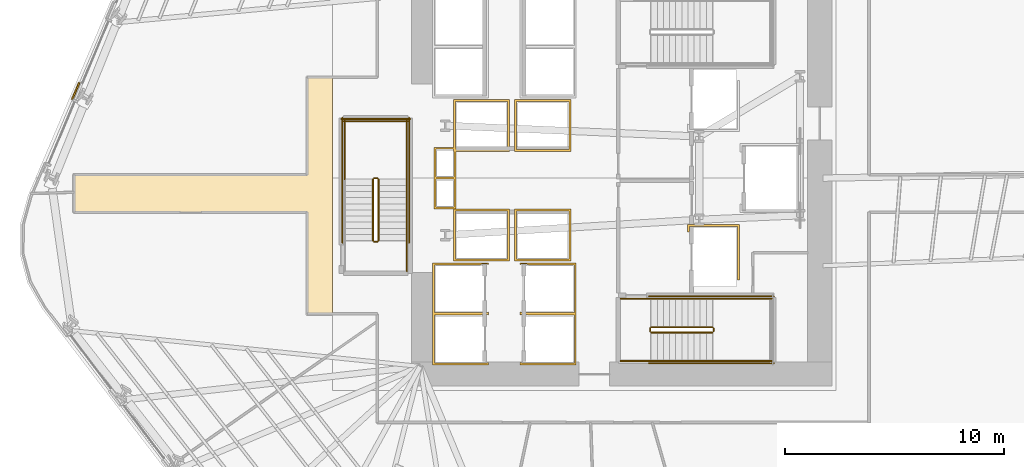
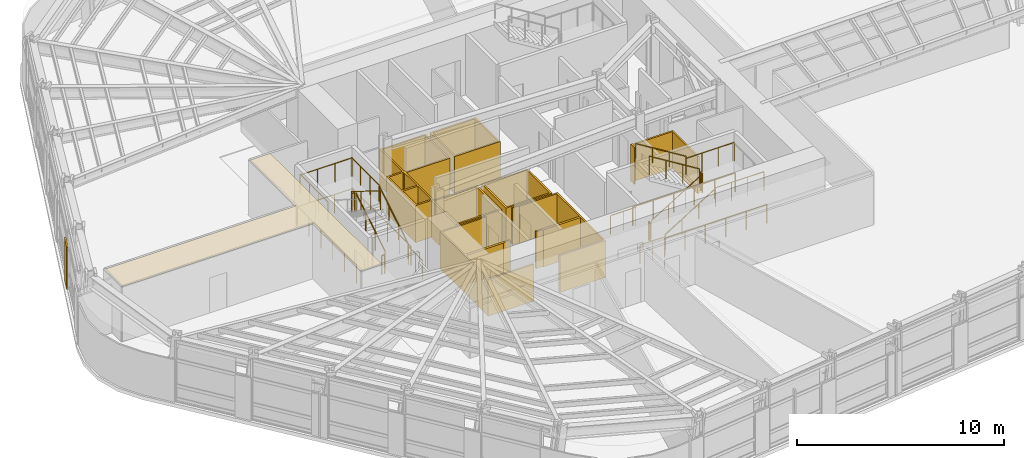
# One storey, part 11 of 16: 24 railings, 9 coverings.
"""IFC4 building model written with IfcOpenShell, lengths in metres."""

import ifcopenshell
import ifcopenshell.guid

model = None  # the IFC model being written
_history = None  # IfcOwnerHistory: only IFC2X3 demands one
_inside = {}  # id of a spatial element -> (the spatial element, [elements in it])
_under = {}  # id of a project, library or spatial element -> (it, [spatial elements below it])
_declared = {}  # id of a project -> (the project, [libraries it declares])
_typed = {}  # id of a type object -> (the type object, [elements of that type])
_made_of = {}  # id of a material, layer set ... -> (it, [elements and type objects made of it])


def new_model(schema):
    """Start an empty IFC model of exactly this schema.

    Asked for "IFC4X3", IfcOpenShell would pick the latest addendum, in which some entities
    have other attributes; the version numbers below select the first issue.
    IFC2X3 requires an IfcOwnerHistory on every rooted entity: one is made here for all.
    """
    global model, _history
    if schema == "IFC4X3":
        model = ifcopenshell.file(schema_version=(4, 3, 0, 0))
    else:
        model = ifcopenshell.file(schema=schema)
    _inside.clear()
    _under.clear()
    _declared.clear()
    _typed.clear()
    _made_of.clear()
    _history = None
    if model.schema == "IFC2X3":
        org = make("IfcOrganization", Name="unknown")
        user = make(
            "IfcPersonAndOrganization",
            ThePerson=make("IfcPerson", FamilyName="unknown"),
            TheOrganization=org,
        )
        app = make(
            "IfcApplication",
            ApplicationDeveloper=org,
            Version="unknown",
            ApplicationFullName="unknown",
            ApplicationIdentifier="unknown",
        )
        _history = make(
            "IfcOwnerHistory",
            OwningUser=user,
            OwningApplication=app,
            ChangeAction="ADDED",
            CreationDate=0,
        )
    return model


def make(cls, **values):
    """One entity of the class cls with the attributes given. An attribute that is None is left unset."""
    return model.create_entity(
        cls, **{name: value for name, value in values.items() if value is not None}
    )


def rooted(cls, **values):
    """An entity with a GlobalId (a new one), such as an element, a storey or a relation."""
    return make(cls, GlobalId=ifcopenshell.guid.new(), OwnerHistory=_history, **values)


def si_unit(unit_type, name, prefix=None):
    """IfcSIUnit, for example si_unit("LENGTHUNIT", "METRE", prefix="MILLI")."""
    return make("IfcSIUnit", UnitType=unit_type, Prefix=prefix, Name=name)


def assignment(units):
    """IfcUnitAssignment: the units of a project."""
    return None if units is None else make("IfcUnitAssignment", Units=units)


def point(xyz):
    """IfcCartesianPoint."""
    return None if xyz is None else make("IfcCartesianPoint", Coordinates=xyz)


def direction(xyz):
    """IfcDirection."""
    return None if xyz is None else make("IfcDirection", DirectionRatios=xyz)


def frame(location, z_axis=None, x_axis=None):
    """IfcAxis2Placement3D, a coordinate frame: its origin and axes. An axis left out is left unset."""
    return make(
        "IfcAxis2Placement3D",
        Location=point(location),
        Axis=direction(z_axis),
        RefDirection=direction(x_axis),
    )


def frame_2d(location, x_axis=None):
    """IfcAxis2Placement2D, a coordinate frame in the plane: its origin and x axis."""
    return make(
        "IfcAxis2Placement2D", Location=point(location), RefDirection=direction(x_axis)
    )


def origin():
    """The frame at (0, 0, 0) with its axes left unset."""
    return frame((0.0, 0.0, 0.0))


def origin_2d():
    """The frame at (0, 0) in the plane with its x axis left unset."""
    return frame_2d((0.0, 0.0))


def place(relative_to, where):
    """IfcLocalPlacement: puts the frame where relative to a parent placement (None: the world)."""
    return make(
        "IfcLocalPlacement", PlacementRelTo=relative_to, RelativePlacement=where
    )


def context(
    kind, dimensions, precision=None, world=None, true_north=None, identifier=None
):
    """IfcGeometricRepresentationContext, for example the 3D "Model" context."""
    return make(
        "IfcGeometricRepresentationContext",
        ContextIdentifier=identifier,
        ContextType=kind,
        CoordinateSpaceDimension=dimensions,
        Precision=precision,
        WorldCoordinateSystem=world,
        TrueNorth=true_north,
    )


def subcontext(parent, identifier, kind, view, scale=None):
    """IfcGeometricRepresentationSubContext, for example "Body" below "Model"."""
    return make(
        "IfcGeometricRepresentationSubContext",
        ContextIdentifier=identifier,
        ContextType=kind,
        ParentContext=parent,
        TargetScale=scale,
        TargetView=view,
    )


def project(units=None, contexts=None):
    """IfcProject with its units and contexts."""
    return rooted(
        "IfcProject",
        Name="project",
        RepresentationContexts=contexts,
        UnitsInContext=assignment(units),
    )


def spatial(cls, under=None, at=None, **own):
    """A site, building, storey or space (cls), placed at a placement, below another one or the project."""
    s = rooted(cls, ObjectPlacement=at, **own)
    if under is not None:
        _under.setdefault(under.id(), (under, []))[1].append(s)
    return s


def polyline(points):
    """IfcPolyline through the points."""
    return make("IfcPolyline", Points=[point(p) for p in points])


def profile(cls, at=None, kind="AREA", **sizes):
    """A parametric profile (cls). Its sizes go by their IFC names, for example OverallWidth=200.0."""
    return make(cls, ProfileType=kind, Position=at, **sizes)


def circle(**sizes):
    """IfcCircleProfileDef."""
    return profile("IfcCircleProfileDef", **sizes)


def outline(outer, holes=None, kind="AREA"):
    """IfcArbitraryClosedProfileDef: a profile drawn as a closed curve; with holes, ...WithVoids."""
    if holes is None:
        return make("IfcArbitraryClosedProfileDef", ProfileType=kind, OuterCurve=outer)
    return make(
        "IfcArbitraryProfileDefWithVoids",
        ProfileType=kind,
        OuterCurve=outer,
        InnerCurves=holes,
    )


def extrude(swept, where, along, depth):
    """IfcExtrudedAreaSolid: the profile swept, set in the frame where, extruded along a direction by depth."""
    return make(
        "IfcExtrudedAreaSolid",
        SweptArea=swept,
        Position=where,
        ExtrudedDirection=direction(along),
        Depth=depth,
    )


def shape(context_of_items, identifier, shape_type, items):
    """IfcShapeRepresentation: the items that make up one representation, for example the "Body"."""
    return make(
        "IfcShapeRepresentation",
        ContextOfItems=context_of_items,
        RepresentationIdentifier=identifier,
        RepresentationType=shape_type,
        Items=items,
    )


def material(Name=None, Category=None):
    """IfcMaterial."""
    return make("IfcMaterial", Name=Name, Category=Category)


def layer(
    of_material, thickness, ventilated=None, Name=None, Category=None, Priority=None
):
    """IfcMaterialLayer: one layer of a wall or slab, of a material (None: an air gap)."""
    return make(
        "IfcMaterialLayer",
        Material=of_material,
        LayerThickness=thickness,
        IsVentilated=ventilated,
        Name=Name,
        Category=Category,
        Priority=Priority,
    )


def layer_set(layers, Name=None):
    """IfcMaterialLayerSet."""
    return make("IfcMaterialLayerSet", MaterialLayers=layers, LayerSetName=Name)


def made_of(thing, what):
    """Note that an element or type object is made of a material, layer set ...; save() writes the relation."""
    if what is not None:
        _made_of.setdefault(what.id(), (what, []))[1].append(thing)
    return thing


def type_object(cls, material=None, **own):
    """A type object (cls), such as IfcWallType, which elements share."""
    return made_of(rooted(cls, **own), material)


def element(
    cls,
    number,
    at=None,
    inside=None,
    cuts=None,
    type_object=None,
    material=None,
    context=None,
    identifier="Body",
    shape_type=None,
    held_by="IfcProductDefinitionShape",
    body=None,
    shapes=None,
    **own,
):
    """One element of the class cls, such as IfcWall. Its Tag is "e" and its number.

    at: its placement. inside: the storey or other place that contains it. cuts: it is an
    opening in that element (IfcRelVoidsElement). A single representation is given by context,
    identifier, shape_type and body (its items); several are given by shapes. held_by: the class
    of the entity that holds the representations. save() writes the other relations.
    """
    e = rooted(cls, Tag="e%d" % number, ObjectPlacement=at, **own)
    if body is not None:
        shapes = [shape(context, identifier, shape_type, body)]
    if shapes is not None:
        e.Representation = make(held_by, Representations=shapes)
    if inside is not None:
        _inside.setdefault(inside.id(), (inside, []))[1].append(e)
    if cuts is not None:
        rooted(
            "IfcRelVoidsElement", RelatingBuildingElement=cuts, RelatedOpeningElement=e
        )
    if type_object is not None:
        _typed.setdefault(type_object.id(), (type_object, []))[1].append(e)
    return made_of(e, material)


def aggregate(whole, parts):
    """IfcRelAggregates: a whole, such as a stair, and the parts it consists of."""
    return rooted("IfcRelAggregates", RelatingObject=whole, RelatedObjects=parts)


def save(model, path):
    """Write the relations noted so far, then the file.

    IfcRelAggregates (storeys below a building ...), IfcRelContainedInSpatialStructure (elements
    in a storey), IfcRelDefinesByType, IfcRelAssociatesMaterial and IfcRelDeclares: one each for
    every whole, place, type object, material and project.
    """
    for whole, parts in _under.values():
        aggregate(whole, parts)
    for where, things in _inside.values():
        rooted(
            "IfcRelContainedInSpatialStructure",
            RelatedElements=things,
            RelatingStructure=where,
        )
    for kind, things in _typed.values():
        rooted("IfcRelDefinesByType", RelatedObjects=things, RelatingType=kind)
    for what, things in _made_of.values():
        rooted("IfcRelAssociatesMaterial", RelatedObjects=things, RelatingMaterial=what)
    for by, libraries in _declared.values():
        rooted("IfcRelDeclares", RelatingContext=by, RelatedDefinitions=libraries)
    model.write(path)


model = new_model("IFC4")

# Units and contexts
model_context = context("Model", 3, precision=1e-05, world=origin(), true_north=direction((0.0, 1.0)))
body_context = subcontext(model_context, "Body", "Model", "MODEL_VIEW")
ifc_project = project(units=[si_unit("LENGTHUNIT", "METRE"), si_unit("AREAUNIT", "SQUARE_METRE"), si_unit("VOLUMEUNIT", "CUBIC_METRE"), si_unit("PLANEANGLEUNIT", "RADIAN"), si_unit("MASSUNIT", "GRAM", prefix="KILO")], contexts=[model_context])

# Site, building, storey
site_placement = place(None, origin())
site = spatial("IfcSite", under=ifc_project, at=site_placement, CompositionType="ELEMENT")
building_placement = place(site_placement, origin())
building = spatial("IfcBuilding", under=site, at=building_placement, Name="Valkerne Bourse Tower", CompositionType="ELEMENT")
storey_placement = place(building_placement, frame((0.0, 0.0, 54.39990234375)))
storey = spatial("IfcBuildingStorey", under=building, at=storey_placement, Name="L13", CompositionType="ELEMENT", Elevation=54.39990234375)

# Coverings
ifc_material_1 = material(Name="Bronze Anodised Aluminium AA 6063-T6", Category="aluminium")
ifc_layer_1 = layer(ifc_material_1, 0.030029296875)
ifc_layer_set_1 = layer_set([ifc_layer_1], Name="Bronze Anodised Aluminium AA 6063-T6")
covering_type_1 = type_object("IfcCoveringType", Name="COV-CEIL-METAL", PredefinedType="CEILING", material=ifc_layer_set_1)
covering_1_placement = place(storey_placement, frame((0.0, 0.0, 3.22998046875)))
element("IfcCovering", 1, at=covering_1_placement, inside=storey, type_object=covering_type_1, Name="L13 Suspended Ceiling 02", PredefinedType="CEILING", context=body_context, shape_type="SweptSolid", body=[
    extrude(outline(polyline([(32.4541015625, 20.803955078125), (32.4541015625, 25.4541015625), (21.803955078125, 25.4541015625), (21.803955078125, 27.14599609375), (32.4541015625, 27.14599609375), (32.4541015625, 31.595947265625), (33.60009765625, 31.595947265625), (33.60009765625, 20.803955078125), (32.4541015625, 20.803955078125)])), origin(), (0.0, 0.0, 1.0), 0.025146484375),
])
ifc_layer_2 = layer(ifc_material_1, 0.06005859375)
ifc_layer_set_2 = layer_set([ifc_layer_2], Name="Bronze Anodised Aluminium AA 6063-T6")
covering_type_2 = type_object("IfcCoveringType", Name="COV-CRN-ALUM", PredefinedType="CLADDING", material=ifc_layer_set_2)
covering_2_placement = place(storey_placement, origin())
element("IfcCovering", 2, at=covering_2_placement, inside=storey, type_object=covering_type_2, Name="L13 Wind-Shaped Corner Aluminium Cladding 12", PredefinedType="CLADDING", context=body_context, shape_type="SweptSolid", body=[
    extrude(outline(polyline([(22.003173828125, 31.377197265625), (22.076904296875, 31.34619140625), (21.74853515625, 30.572998046875), (21.6748046875, 30.60400390625), (22.003173828125, 31.377197265625)])), origin(), (0.0, 0.0, 1.0), 2.5),
])
ifc_material_2 = material(Name="Gypsum Shaftwall Liner Board", Category="gypsum")
ifc_layer_3 = layer(ifc_material_2, 0.080078125)
ifc_layer_set_3 = layer_set([ifc_layer_3], Name="Gypsum Shaftwall Liner Board")
covering_type_3 = type_object("IfcCoveringType", Name="COV-SHF-CLAD", PredefinedType="CLADDING", material=ifc_layer_set_3)
covering_3_placement = place(storey_placement, origin())
element("IfcCovering", 3, at=covering_3_placement, inside=storey, type_object=covering_type_3, Name="L13 Hoistway & Riser Shaftwall Liner 01", PredefinedType="CLADDING", context=body_context, shape_type="SweptSolid", body=[
    extrude(outline(polyline([(38.169921875, 23.1298828125), (40.72998046875, 23.1298828125), (40.72998046875, 23.052001953125), (40.72216796875, 23.0556640625), (40.6806640625, 23.070556640625), (40.6376953125, 23.081298828125), (40.593994140625, 23.087890625), (40.550048828125, 23.090087890625), (40.505859375, 23.087890625), (40.462158203125, 23.081298828125), (40.41943359375, 23.070556640625), (40.377685546875, 23.0556640625), (40.344482421875, 23.0400390625), (38.260009765625, 23.0400390625), (38.260009765625, 20.860107421875), (40.456787109375, 20.860107421875), (40.462158203125, 20.858642578125), (40.505859375, 20.852294921875), (40.550048828125, 20.85009765625), (40.593994140625, 20.852294921875), (40.6376953125, 20.858642578125), (40.6806640625, 20.869384765625), (40.72216796875, 20.88427734375), (40.72998046875, 20.887939453125), (40.72998046875, 20.830078125), (40.72998046875, 20.77001953125), (40.72998046875, 20.752197265625), (40.72216796875, 20.755615234375), (40.6806640625, 20.7705078125), (40.6376953125, 20.781494140625), (40.593994140625, 20.787841796875), (40.550048828125, 20.7900390625), (40.505859375, 20.787841796875), (40.462158203125, 20.781494140625), (40.41943359375, 20.7705078125), (40.377685546875, 20.755615234375), (40.344482421875, 20.739990234375), (38.260009765625, 20.739990234375), (38.260009765625, 18.56005859375), (40.456787109375, 18.56005859375), (40.462158203125, 18.55859375), (40.505859375, 18.55224609375), (40.550048828125, 18.550048828125), (40.593994140625, 18.55224609375), (40.6376953125, 18.55859375), (40.6806640625, 18.5693359375), (40.72216796875, 18.584228515625), (40.72998046875, 18.587890625), (40.72998046875, 18.469970703125), (38.169921875, 18.469970703125), (38.169921875, 20.77001953125), (38.169921875, 20.830078125), (38.169921875, 23.1298828125)])), origin(), (0.0, 0.0, 1.0), 2.18017578125),
])
covering_4_placement = place(storey_placement, origin())
element("IfcCovering", 4, at=covering_4_placement, inside=storey, type_object=covering_type_3, Name="L13 Hoistway & Riser Shaftwall Liner 02", PredefinedType="CLADDING", context=body_context, shape_type="SweptSolid", body=[
    extrude(outline(polyline([(41.679931640625, 23.219970703125), (39.1201171875, 23.219970703125), (39.1201171875, 25.580078125), (41.679931640625, 25.580078125), (41.679931640625, 23.219970703125)]), holes=[polyline([(39.2099609375, 25.489990234375), (39.2099609375, 23.31005859375), (41.590087890625, 23.31005859375), (41.590087890625, 25.489990234375), (39.2099609375, 25.489990234375)])]), origin(), (0.0, 0.0, 1.0), 2.18017578125),
])
covering_5_placement = place(storey_placement, origin())
element("IfcCovering", 5, at=covering_5_placement, inside=storey, type_object=covering_type_3, Name="L13 Hoistway & Riser Shaftwall Liner 03", PredefinedType="CLADDING", context=body_context, shape_type="SweptSolid", body=[
    extrude(outline(polyline([(44.47998046875, 23.219970703125), (41.919921875, 23.219970703125), (41.919921875, 25.580078125), (44.47998046875, 25.580078125), (44.47998046875, 23.219970703125)]), holes=[polyline([(42.010009765625, 25.489990234375), (42.010009765625, 23.31005859375), (44.389892578125, 23.31005859375), (44.389892578125, 25.489990234375), (42.010009765625, 25.489990234375)])]), origin(), (0.0, 0.0, 1.0), 2.18017578125),
])
covering_6_placement = place(storey_placement, origin())
element("IfcCovering", 6, at=covering_6_placement, inside=storey, type_object=covering_type_3, Name="L13 Hoistway & Riser Shaftwall Liner 04", PredefinedType="CLADDING", context=body_context, shape_type="SweptSolid", body=[
    extrude(outline(polyline([(38.239990234375, 28.409912109375), (39.1201171875, 28.409912109375), (39.1201171875, 30.580078125), (41.679931640625, 30.580078125), (41.679931640625, 28.219970703125), (39.239990234375, 28.219970703125), (39.239990234375, 27.0400390625), (39.239990234375, 26.9599609375), (39.239990234375, 25.590087890625), (38.239990234375, 25.590087890625), (38.239990234375, 26.9599609375), (38.239990234375, 27.0400390625), (38.239990234375, 28.409912109375)]), holes=[polyline([(39.2099609375, 30.489990234375), (39.2099609375, 28.409912109375), (39.239990234375, 28.409912109375), (39.239990234375, 28.31005859375), (41.590087890625, 28.31005859375), (41.590087890625, 30.489990234375), (39.2099609375, 30.489990234375)]), polyline([(38.330078125, 26.949951171875), (38.330078125, 25.679931640625), (39.14990234375, 25.679931640625), (39.14990234375, 26.949951171875), (38.330078125, 26.949951171875)]), polyline([(39.1201171875, 28.219970703125), (39.1201171875, 28.320068359375), (38.330078125, 28.320068359375), (38.330078125, 27.050048828125), (39.14990234375, 27.050048828125), (39.14990234375, 28.219970703125), (39.1201171875, 28.219970703125)])]), origin(), (0.0, 0.0, 1.0), 2.18017578125),
])
covering_7_placement = place(storey_placement, origin())
element("IfcCovering", 7, at=covering_7_placement, inside=storey, type_object=covering_type_3, Name="L13 Hoistway & Riser Shaftwall Liner 06", PredefinedType="CLADDING", context=body_context, shape_type="SweptSolid", body=[
    extrude(outline(polyline([(42.169921875, 20.830078125), (42.169921875, 20.887939453125), (42.177734375, 20.88427734375), (42.219482421875, 20.869384765625), (42.26220703125, 20.858642578125), (42.305908203125, 20.852294921875), (42.35009765625, 20.85009765625), (42.39404296875, 20.852294921875), (42.437744140625, 20.858642578125), (42.443115234375, 20.860107421875), (44.639892578125, 20.860107421875), (44.639892578125, 23.0400390625), (42.555419921875, 23.0400390625), (42.522216796875, 23.0556640625), (42.480712890625, 23.070556640625), (42.437744140625, 23.081298828125), (42.39404296875, 23.087890625), (42.35009765625, 23.090087890625), (42.305908203125, 23.087890625), (42.26220703125, 23.081298828125), (42.219482421875, 23.070556640625), (42.177734375, 23.0556640625), (42.169921875, 23.052001953125), (42.169921875, 23.1298828125), (44.72998046875, 23.1298828125), (44.72998046875, 20.830078125), (44.72998046875, 20.77001953125), (44.72998046875, 18.469970703125), (42.169921875, 18.469970703125), (42.169921875, 18.587890625), (42.177734375, 18.584228515625), (42.219482421875, 18.5693359375), (42.26220703125, 18.55859375), (42.305908203125, 18.55224609375), (42.35009765625, 18.550048828125), (42.39404296875, 18.55224609375), (42.437744140625, 18.55859375), (42.443115234375, 18.56005859375), (44.639892578125, 18.56005859375), (44.639892578125, 20.739990234375), (42.555419921875, 20.739990234375), (42.522216796875, 20.755615234375), (42.480712890625, 20.7705078125), (42.437744140625, 20.781494140625), (42.39404296875, 20.787841796875), (42.35009765625, 20.7900390625), (42.305908203125, 20.787841796875), (42.26220703125, 20.781494140625), (42.219482421875, 20.7705078125), (42.177734375, 20.755615234375), (42.169921875, 20.752197265625), (42.169921875, 20.77001953125), (42.169921875, 20.830078125)])), origin(), (0.0, 0.0, 1.0), 2.18017578125),
])
covering_8_placement = place(storey_placement, origin())
element("IfcCovering", 8, at=covering_8_placement, inside=storey, type_object=covering_type_3, Name="L13 Hoistway & Riser Shaftwall Liner 07", PredefinedType="CLADDING", context=body_context, shape_type="SweptSolid", body=[
    extrude(outline(polyline([(52.179931640625, 22.35009765625), (52.090087890625, 22.35009765625), (52.090087890625, 24.7900390625), (49.909912109375, 24.7900390625), (49.909912109375, 24.560791015625), (49.869384765625, 24.550537109375), (49.827880859375, 24.53564453125), (49.820068359375, 24.531982421875), (49.820068359375, 24.8798828125), (52.179931640625, 24.8798828125), (52.179931640625, 22.35009765625)])), origin(), (0.0, 0.0, 1.0), 2.18017578125),
])
covering_9_placement = place(storey_placement, origin())
element("IfcCovering", 9, at=covering_9_placement, inside=storey, type_object=covering_type_3, Name="L13 Hoistway & Riser Shaftwall Liner 09", PredefinedType="CLADDING", context=body_context, shape_type="SweptSolid", body=[
    extrude(outline(polyline([(44.47998046875, 28.219970703125), (41.919921875, 28.219970703125), (41.919921875, 30.580078125), (44.47998046875, 30.580078125), (44.47998046875, 28.219970703125)]), holes=[polyline([(42.010009765625, 30.489990234375), (42.010009765625, 28.31005859375), (44.389892578125, 28.31005859375), (44.389892578125, 30.489990234375), (42.010009765625, 30.489990234375)])]), origin(), (0.0, 0.0, 1.0), 2.18017578125),
])

# Railings
ifc_material_3 = material(Name="Galvanised Painted Steel", Category="steel")
railing_type_1 = type_object("IfcRailingType", Name="RLG-ST-GUARD-1120", PredefinedType="GUARDRAIL", material=ifc_material_3)
railing_1_placement = place(storey_placement, frame((48.14990234375, 19.949951171875, 0.1728515625)))
element("IfcRailing", 10, at=railing_1_placement, inside=storey, type_object=railing_type_1, Name="L13 ST-1 stair guard 1", PredefinedType="GUARDRAIL", context=body_context, shape_type="SweptSolid", body=[
    extrude(circle(Radius=0.02392578125, at=origin_2d()), frame((0.0, 0.0, 1.09619140625), z_axis=(0.851089632645, 0.0, 0.525020415988), x_axis=(0.0, 1.0, 0.0)), (0.0, 0.0, 1.0), 3.2900390625),
    extrude(circle(Radius=0.02099609375, at=origin_2d()), origin(), (0.0, 0.0, 1.0), 1.072021484375),
    extrude(circle(Radius=0.02099609375, at=origin_2d()), frame((0.933349609375, 0.0, 0.57568359375)), (0.0, 0.0, 1.0), 1.072021484375),
    extrude(circle(Radius=0.02099609375, at=origin_2d()), frame((1.86669921875, 0.0, 1.151611328125)), (0.0, 0.0, 1.0), 1.072021484375),
    extrude(circle(Radius=0.02099609375, at=origin_2d()), frame((2.800048828125, 0.0, 1.727294921875)), (0.0, 0.0, 1.0), 1.072021484375),
])
railing_2_placement = place(storey_placement, frame((51.0, 20.0, 1.900146484375)))
element("IfcRailing", 11, at=railing_2_placement, inside=storey, type_object=railing_type_1, Name="L13 ST-1 stair guard 2", PredefinedType="GUARDRAIL", context=body_context, shape_type="SweptSolid", body=[
    extrude(circle(Radius=0.02392578125, at=origin_2d()), frame((0.0, 0.0, 1.09619140625), z_axis=(0.0, 1.0, 0.0), x_axis=(-1.0, 0.0, 0.0)), (0.0, 0.0, 1.0), 0.14990234375),
    extrude(circle(Radius=0.02099609375, at=origin_2d()), origin(), (0.0, 0.0, 1.0), 1.072021484375),
    extrude(circle(Radius=0.02099609375, at=origin_2d()), frame((0.0, 0.14990234375, 0.0)), (0.0, 0.0, 1.0), 1.072021484375),
])
for number, where, name in (
    (12, (50.949951171875, 18.64990234375, 1.900146484375), "L13 ST-1 stair guard 3"),
    (13, (50.949951171875, 21.5, 1.900146484375), "L13 ST-1 stair guard 4"),
):
    element("IfcRailing", number, at=place(storey_placement, frame(where)), inside=storey, type_object=railing_type_1, Name=name, PredefinedType="GUARDRAIL", context=body_context, shape_type="SweptSolid", body=[
        extrude(circle(Radius=0.02392578125, at=origin_2d()), frame((0.0, 0.0, 1.09619140625), z_axis=(1.0, 0.0, 0.0), x_axis=(0.0, 1.0, 0.0)), (0.0, 0.0, 1.0), 2.699951171875),
        extrude(circle(Radius=0.02099609375, at=origin_2d()), origin(), (0.0, 0.0, 1.0), 1.072021484375),
        extrude(circle(Radius=0.02099609375, at=origin_2d()), frame((0.89990234375, 0.0, 0.0)), (0.0, 0.0, 1.0), 1.072021484375),
        extrude(circle(Radius=0.02099609375, at=origin_2d()), frame((1.800048828125, 0.0, 0.0)), (0.0, 0.0, 1.0), 1.072021484375),
        extrude(circle(Radius=0.02099609375, at=origin_2d()), frame((2.699951171875, 0.0, 0.0)), (0.0, 0.0, 1.0), 1.072021484375),
    ])
railing_3_placement = place(storey_placement, frame((50.949951171875, 20.199951171875, 2.07275390625)))
element("IfcRailing", 14, at=railing_3_placement, inside=storey, type_object=railing_type_1, Name="L13 ST-1 stair guard 6", PredefinedType="GUARDRAIL", context=body_context, shape_type="SweptSolid", body=[
    extrude(circle(Radius=0.02392578125, at=origin_2d()), frame((0.0, 0.0, 1.09619140625), z_axis=(-0.851089632645, 0.0, 0.525020415988), x_axis=(0.0, -1.0, 0.0)), (0.0, 0.0, 1.0), 3.2900390625),
    extrude(circle(Radius=0.02099609375, at=origin_2d()), origin(), (0.0, 0.0, 1.0), 1.072021484375),
    extrude(circle(Radius=0.02099609375, at=origin_2d()), frame((-0.933349609375, 0.0, 0.57568359375)), (0.0, 0.0, 1.0), 1.072021484375),
    extrude(circle(Radius=0.02099609375, at=origin_2d()), frame((-1.86669921875, 0.0, 1.151611328125)), (0.0, 0.0, 1.0), 1.072021484375),
    extrude(circle(Radius=0.02099609375, at=origin_2d()), frame((-2.800048828125, 0.0, 1.727294921875)), (0.0, 0.0, 1.0), 1.072021484375),
])
railing_4_placement = place(storey_placement, frame((48.10009765625, 20.0, 0.0)))
element("IfcRailing", 15, at=railing_4_placement, inside=storey, type_object=railing_type_1, Name="L13 ST-1 stair guard 7", PredefinedType="GUARDRAIL", context=body_context, shape_type="SweptSolid", body=[
    extrude(circle(Radius=0.02392578125, at=origin_2d()), frame((0.0, 0.0, 1.09619140625), z_axis=(0.0, 1.0, 0.0), x_axis=(-1.0, 0.0, 0.0)), (0.0, 0.0, 1.0), 0.14990234375),
    extrude(circle(Radius=0.02099609375, at=origin_2d()), origin(), (0.0, 0.0, 1.0), 1.072021484375),
    extrude(circle(Radius=0.02099609375, at=origin_2d()), frame((0.0, 0.14990234375, 0.0)), (0.0, 0.0, 1.0), 1.072021484375),
])
for number, where, name in (
    (16, (46.75, 18.64990234375, 0.0), "L13 ST-1 stair guard 8"),
    (17, (46.75, 21.5, 0.0), "L13 ST-1 stair guard 9"),
):
    element("IfcRailing", number, at=place(storey_placement, frame(where)), inside=storey, type_object=railing_type_1, Name=name, PredefinedType="GUARDRAIL", context=body_context, shape_type="SweptSolid", body=[
        extrude(circle(Radius=0.02392578125, at=origin_2d()), frame((0.0, 0.0, 1.09619140625), z_axis=(1.0, 0.0, 0.0), x_axis=(0.0, 1.0, 0.0)), (0.0, 0.0, 1.0), 1.39990234375),
        extrude(circle(Radius=0.02099609375, at=origin_2d()), origin(), (0.0, 0.0, 1.0), 1.072021484375),
        extrude(circle(Radius=0.02099609375, at=origin_2d()), frame((0.699951171875, 0.0, 0.0)), (0.0, 0.0, 1.0), 1.072021484375),
        extrude(circle(Radius=0.02099609375, at=origin_2d()), frame((1.39990234375, 0.0, 0.0)), (0.0, 0.0, 1.0), 1.072021484375),
    ])
for number, where, name in (
    (18, (48.050048828125, 18.550048828125, 0.0), "L13 ST-1 stair guard 10"),
    (19, (48.050048828125, 21.60009765625, 0.0), "L13 ST-1 stair guard 11"),
):
    element("IfcRailing", number, at=place(storey_placement, frame(where)), inside=storey, type_object=railing_type_1, Name=name, PredefinedType="GUARDRAIL", context=body_context, shape_type="SweptSolid", body=[
        extrude(circle(Radius=0.02392578125, at=origin_2d()), frame((0.0, 0.0, 1.09619140625), z_axis=(1.0, 0.0, 0.0), x_axis=(0.0, 1.0, 0.0)), (0.0, 0.0, 1.0), 5.699951171875),
        extrude(circle(Radius=0.02099609375, at=origin_2d()), origin(), (0.0, 0.0, 1.0), 1.072021484375),
        extrude(circle(Radius=0.02099609375, at=origin_2d()), frame((1.139892578125, 0.0, 0.0)), (0.0, 0.0, 1.0), 1.072021484375),
        extrude(circle(Radius=0.02099609375, at=origin_2d()), frame((2.280029296875, 0.0, 0.0)), (0.0, 0.0, 1.0), 1.072021484375),
        extrude(circle(Radius=0.02099609375, at=origin_2d()), frame((3.419921875, 0.0, 0.0)), (0.0, 0.0, 1.0), 1.072021484375),
        extrude(circle(Radius=0.02099609375, at=origin_2d()), frame((4.56005859375, 0.0, 0.0)), (0.0, 0.0, 1.0), 1.072021484375),
        extrude(circle(Radius=0.02099609375, at=origin_2d()), frame((5.699951171875, 0.0, 0.0)), (0.0, 0.0, 1.0), 1.072021484375),
    ])
railing_5_placement = place(storey_placement, frame((35.699951171875, 24.14990234375, 0.1728515625)))
element("IfcRailing", 20, at=railing_5_placement, inside=storey, type_object=railing_type_1, Name="L13 ST-3 stair guard 1", PredefinedType="GUARDRAIL", context=body_context, shape_type="SweptSolid", body=[
    extrude(circle(Radius=0.02392578125, at=origin_2d()), frame((0.0, 0.0, 1.09619140625), z_axis=(0.0, 0.851089632645, 0.525020415988), x_axis=(-1.0, 0.0, 0.0)), (0.0, 0.0, 1.0), 3.2900390625),
    extrude(circle(Radius=0.02099609375, at=origin_2d()), origin(), (0.0, 0.0, 1.0), 1.072021484375),
    extrude(circle(Radius=0.02099609375, at=origin_2d()), frame((0.0, 0.933349609375, 0.57568359375)), (0.0, 0.0, 1.0), 1.072021484375),
    extrude(circle(Radius=0.02099609375, at=origin_2d()), frame((0.0, 1.86669921875, 1.151611328125)), (0.0, 0.0, 1.0), 1.072021484375),
    extrude(circle(Radius=0.02099609375, at=origin_2d()), frame((0.0, 2.800048828125, 1.727294921875)), (0.0, 0.0, 1.0), 1.072021484375),
])
railing_6_placement = place(storey_placement, frame((35.64990234375, 27.0, 1.900146484375)))
element("IfcRailing", 21, at=railing_6_placement, inside=storey, type_object=railing_type_1, Name="L13 ST-3 stair guard 2", PredefinedType="GUARDRAIL", context=body_context, shape_type="SweptSolid", body=[
    extrude(circle(Radius=0.02392578125, at=origin_2d()), frame((0.0, 0.0, 1.09619140625), z_axis=(-1.0, 0.0, 0.0), x_axis=(0.0, -1.0, 0.0)), (0.0, 0.0, 1.0), 0.14990234375),
    extrude(circle(Radius=0.02099609375, at=origin_2d()), origin(), (0.0, 0.0, 1.0), 1.072021484375),
    extrude(circle(Radius=0.02099609375, at=origin_2d()), frame((-0.14990234375, 0.0, 0.0)), (0.0, 0.0, 1.0), 1.072021484375),
])
for number, where, name in (
    (22, (37.0, 26.949951171875, 1.900146484375), "L13 ST-3 stair guard 3"),
    (23, (34.14990234375, 26.949951171875, 1.900146484375), "L13 ST-3 stair guard 4"),
):
    element("IfcRailing", number, at=place(storey_placement, frame(where)), inside=storey, type_object=railing_type_1, Name=name, PredefinedType="GUARDRAIL", context=body_context, shape_type="SweptSolid", body=[
        extrude(circle(Radius=0.02392578125, at=origin_2d()), frame((0.0, 0.0, 1.09619140625), z_axis=(0.0, 1.0, 0.0), x_axis=(-1.0, 0.0, 0.0)), (0.0, 0.0, 1.0), 2.699951171875),
        extrude(circle(Radius=0.02099609375, at=origin_2d()), origin(), (0.0, 0.0, 1.0), 1.072021484375),
        extrude(circle(Radius=0.02099609375, at=origin_2d()), frame((0.0, 0.89990234375, 0.0)), (0.0, 0.0, 1.0), 1.072021484375),
        extrude(circle(Radius=0.02099609375, at=origin_2d()), frame((0.0, 1.800048828125, 0.0)), (0.0, 0.0, 1.0), 1.072021484375),
        extrude(circle(Radius=0.02099609375, at=origin_2d()), frame((0.0, 2.699951171875, 0.0)), (0.0, 0.0, 1.0), 1.072021484375),
    ])
railing_7_placement = place(storey_placement, frame((37.050048828125, 29.60009765625, 1.900146484375)))
element("IfcRailing", 24, at=railing_7_placement, inside=storey, type_object=railing_type_1, Name="L13 ST-3 stair guard 5", PredefinedType="GUARDRAIL", context=body_context, shape_type="SweptSolid", body=[
    extrude(circle(Radius=0.02392578125, at=origin_2d()), frame((0.0, 0.0, 1.09619140625), z_axis=(-1.0, 0.0, 0.0), x_axis=(0.0, -1.0, 0.0)), (0.0, 0.0, 1.0), 2.949951171875),
    extrude(circle(Radius=0.02099609375, at=origin_2d()), origin(), (0.0, 0.0, 1.0), 1.072021484375),
    extrude(circle(Radius=0.02099609375, at=origin_2d()), frame((-0.9833984375, 0.0, 0.0)), (0.0, 0.0, 1.0), 1.072021484375),
    extrude(circle(Radius=0.02099609375, at=origin_2d()), frame((-1.966552734375, 0.0, 0.0)), (0.0, 0.0, 1.0), 1.072021484375),
    extrude(circle(Radius=0.02099609375, at=origin_2d()), frame((-2.949951171875, 0.0, 0.0)), (0.0, 0.0, 1.0), 1.072021484375),
])
railing_8_placement = place(storey_placement, frame((35.449951171875, 26.949951171875, 2.07275390625)))
element("IfcRailing", 25, at=railing_8_placement, inside=storey, type_object=railing_type_1, Name="L13 ST-3 stair guard 6", PredefinedType="GUARDRAIL", context=body_context, shape_type="SweptSolid", body=[
    extrude(circle(Radius=0.02392578125, at=origin_2d()), frame((0.0, 0.0, 1.09619140625), z_axis=(0.0, -0.851089632645, 0.525020415988), x_axis=(1.0, 0.0, 0.0)), (0.0, 0.0, 1.0), 3.2900390625),
    extrude(circle(Radius=0.02099609375, at=origin_2d()), origin(), (0.0, 0.0, 1.0), 1.072021484375),
    extrude(circle(Radius=0.02099609375, at=origin_2d()), frame((0.0, -0.933349609375, 0.57568359375)), (0.0, 0.0, 1.0), 1.072021484375),
    extrude(circle(Radius=0.02099609375, at=origin_2d()), frame((0.0, -1.86669921875, 1.151611328125)), (0.0, 0.0, 1.0), 1.072021484375),
    extrude(circle(Radius=0.02099609375, at=origin_2d()), frame((0.0, -2.800048828125, 1.727294921875)), (0.0, 0.0, 1.0), 1.072021484375),
])
railing_9_placement = place(storey_placement, frame((35.64990234375, 24.10009765625, 0.0)))
element("IfcRailing", 26, at=railing_9_placement, inside=storey, type_object=railing_type_1, Name="L13 ST-3 stair guard 7", PredefinedType="GUARDRAIL", context=body_context, shape_type="SweptSolid", body=[
    extrude(circle(Radius=0.02392578125, at=origin_2d()), frame((0.0, 0.0, 1.09619140625), z_axis=(-1.0, 0.0, 0.0), x_axis=(0.0, -1.0, 0.0)), (0.0, 0.0, 1.0), 0.14990234375),
    extrude(circle(Radius=0.02099609375, at=origin_2d()), origin(), (0.0, 0.0, 1.0), 1.072021484375),
    extrude(circle(Radius=0.02099609375, at=origin_2d()), frame((-0.14990234375, 0.0, 0.0)), (0.0, 0.0, 1.0), 1.072021484375),
])
railing_10_placement = place(storey_placement, frame((37.0, 22.75, 0.0)))
element("IfcRailing", 27, at=railing_10_placement, inside=storey, type_object=railing_type_1, Name="L13 ST-3 stair guard 8", PredefinedType="GUARDRAIL", context=body_context, shape_type="SweptSolid", body=[
    extrude(circle(Radius=0.02392578125, at=origin_2d()), frame((0.0, 0.0, 1.09619140625), z_axis=(0.0, 1.0, 0.0), x_axis=(-1.0, 0.0, 0.0)), (0.0, 0.0, 1.0), 1.39990234375),
    extrude(circle(Radius=0.02099609375, at=origin_2d()), origin(), (0.0, 0.0, 1.0), 1.072021484375),
    extrude(circle(Radius=0.02099609375, at=origin_2d()), frame((0.0, 0.699951171875, 0.0)), (0.0, 0.0, 1.0), 1.072021484375),
    extrude(circle(Radius=0.02099609375, at=origin_2d()), frame((0.0, 1.39990234375, 0.0)), (0.0, 0.0, 1.0), 1.072021484375),
])
for number, where, name in (
    (28, (37.10009765625, 24.050048828125, 0.0), "L13 ST-3 stair guard 10"),
    (29, (34.050048828125, 24.050048828125, 0.0), "L13 ST-3 stair guard 11"),
):
    element("IfcRailing", number, at=place(storey_placement, frame(where)), inside=storey, type_object=railing_type_1, Name=name, PredefinedType="GUARDRAIL", context=body_context, shape_type="SweptSolid", body=[
        extrude(circle(Radius=0.02392578125, at=origin_2d()), frame((0.0, 0.0, 1.09619140625), z_axis=(0.0, 1.0, 0.0), x_axis=(-1.0, 0.0, 0.0)), (0.0, 0.0, 1.0), 5.699951171875),
        extrude(circle(Radius=0.02099609375, at=origin_2d()), origin(), (0.0, 0.0, 1.0), 1.072021484375),
        extrude(circle(Radius=0.02099609375, at=origin_2d()), frame((0.0, 1.139892578125, 0.0)), (0.0, 0.0, 1.0), 1.072021484375),
        extrude(circle(Radius=0.02099609375, at=origin_2d()), frame((0.0, 2.280029296875, 0.0)), (0.0, 0.0, 1.0), 1.072021484375),
        extrude(circle(Radius=0.02099609375, at=origin_2d()), frame((0.0, 3.419921875, 0.0)), (0.0, 0.0, 1.0), 1.072021484375),
        extrude(circle(Radius=0.02099609375, at=origin_2d()), frame((0.0, 4.56005859375, 0.0)), (0.0, 0.0, 1.0), 1.072021484375),
        extrude(circle(Radius=0.02099609375, at=origin_2d()), frame((0.0, 5.699951171875, 0.0)), (0.0, 0.0, 1.0), 1.072021484375),
    ])
railing_11_placement = place(storey_placement, frame((37.14990234375, 29.699951171875, 0.0)))
element("IfcRailing", 30, at=railing_11_placement, inside=storey, type_object=railing_type_1, Name="L13 ST-3 stair guard 12", PredefinedType="GUARDRAIL", context=body_context, shape_type="SweptSolid", body=[
    extrude(circle(Radius=0.02392578125, at=origin_2d()), frame((0.0, 0.0, 1.09619140625), z_axis=(-1.0, 0.0, 0.0), x_axis=(0.0, -1.0, 0.0)), (0.0, 0.0, 1.0), 3.14990234375),
    extrude(circle(Radius=0.02099609375, at=origin_2d()), origin(), (0.0, 0.0, 1.0), 1.072021484375),
    extrude(circle(Radius=0.02099609375, at=origin_2d()), frame((-1.050048828125, 0.0, 0.0)), (0.0, 0.0, 1.0), 1.072021484375),
    extrude(circle(Radius=0.02099609375, at=origin_2d()), frame((-2.099853515625, 0.0, 0.0)), (0.0, 0.0, 1.0), 1.072021484375),
    extrude(circle(Radius=0.02099609375, at=origin_2d()), frame((-3.14990234375, 0.0, 0.0)), (0.0, 0.0, 1.0), 1.072021484375),
])
ifc_material_4 = material(Name="Stainless Steel AISI 316", Category="steel")
railing_type_2 = type_object("IfcRailingType", Name="RLG-ST-HANDRAIL-900", PredefinedType="HANDRAIL", material=ifc_material_4)
railing_12_placement = place(storey_placement, frame((48.14990234375, 18.64990234375, 0.345458984375)))
element("IfcRailing", 31, at=railing_12_placement, inside=storey, type_object=railing_type_2, Name="L13 ST-1 stair handrail 1", PredefinedType="HANDRAIL", context=body_context, shape_type="SweptSolid", body=[
    extrude(circle(Radius=0.02392578125, at=origin_2d()), frame((0.0, 0.0, 0.8759765625), z_axis=(0.851089632645, 0.0, 0.525020415988), x_axis=(0.0, 1.0, 0.0)), (0.0, 0.0, 1.0), 3.2900390625),
    extrude(circle(Radius=0.02099609375, at=origin_2d()), origin(), (0.0, 0.0, 1.0), 0.851806640625),
    extrude(circle(Radius=0.02099609375, at=origin_2d()), frame((0.933349609375, 0.0, 0.57568359375)), (0.0, 0.0, 1.0), 0.851806640625),
    extrude(circle(Radius=0.02099609375, at=origin_2d()), frame((1.86669921875, 0.0, 1.151611328125)), (0.0, 0.0, 1.0), 0.851806640625),
    extrude(circle(Radius=0.02099609375, at=origin_2d()), frame((2.800048828125, 0.0, 1.727294921875)), (0.0, 0.0, 1.0), 0.851806640625),
])
railing_13_placement = place(storey_placement, frame((50.949951171875, 21.5, 2.24560546875)))
element("IfcRailing", 32, at=railing_13_placement, inside=storey, type_object=railing_type_2, Name="L13 ST-1 stair handrail 2", PredefinedType="HANDRAIL", context=body_context, shape_type="SweptSolid", body=[
    extrude(circle(Radius=0.02392578125, at=origin_2d()), frame((0.0, 0.0, 0.8759765625), z_axis=(-0.851089632645, 0.0, 0.525020415988), x_axis=(0.0, -1.0, 0.0)), (0.0, 0.0, 1.0), 3.2900390625),
    extrude(circle(Radius=0.02099609375, at=origin_2d()), origin(), (0.0, 0.0, 1.0), 0.851806640625),
    extrude(circle(Radius=0.02099609375, at=origin_2d()), frame((-0.933349609375, 0.0, 0.57568359375)), (0.0, 0.0, 1.0), 0.851806640625),
    extrude(circle(Radius=0.02099609375, at=origin_2d()), frame((-1.86669921875, 0.0, 1.151611328125)), (0.0, 0.0, 1.0), 0.851806640625),
    extrude(circle(Radius=0.02099609375, at=origin_2d()), frame((-2.800048828125, 0.0, 1.727294921875)), (0.0, 0.0, 1.0), 0.851806640625),
])
railing_14_placement = place(storey_placement, frame((37.0, 24.14990234375, 0.345458984375)))
element("IfcRailing", 33, at=railing_14_placement, inside=storey, type_object=railing_type_2, Name="L13 ST-3 stair handrail 1", PredefinedType="HANDRAIL", context=body_context, shape_type="SweptSolid", body=[
    extrude(circle(Radius=0.02392578125, at=origin_2d()), frame((0.0, 0.0, 0.8759765625), z_axis=(0.0, 0.851089632645, 0.525020415988), x_axis=(-1.0, 0.0, 0.0)), (0.0, 0.0, 1.0), 3.2900390625),
    extrude(circle(Radius=0.02099609375, at=origin_2d()), origin(), (0.0, 0.0, 1.0), 0.851806640625),
    extrude(circle(Radius=0.02099609375, at=origin_2d()), frame((0.0, 0.933349609375, 0.57568359375)), (0.0, 0.0, 1.0), 0.851806640625),
    extrude(circle(Radius=0.02099609375, at=origin_2d()), frame((0.0, 1.86669921875, 1.151611328125)), (0.0, 0.0, 1.0), 0.851806640625),
    extrude(circle(Radius=0.02099609375, at=origin_2d()), frame((0.0, 2.800048828125, 1.727294921875)), (0.0, 0.0, 1.0), 0.851806640625),
])

save(model, "model.ifc")
